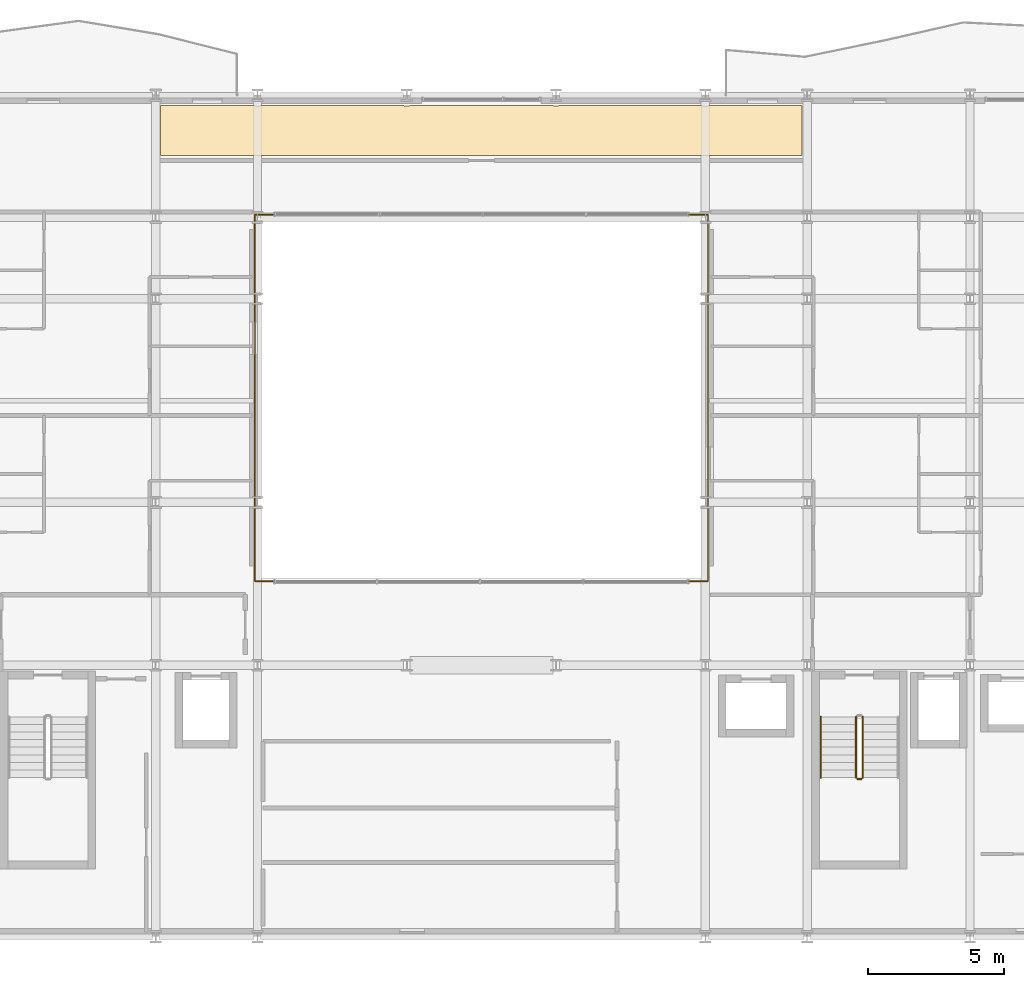
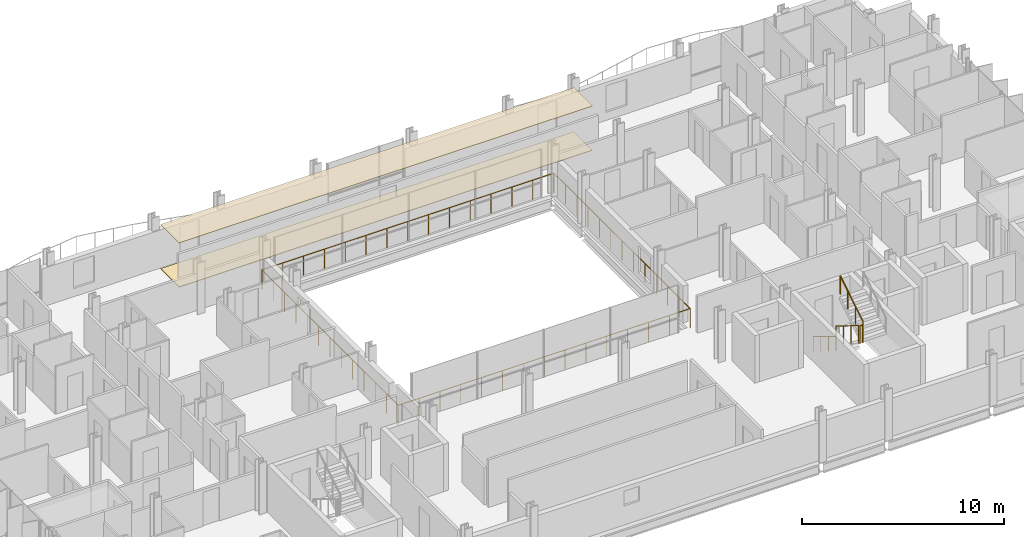
# One storey, part 37 of 39: 6 railings, 2 coverings.
"""IFC4 building model written with IfcOpenShell, lengths in metres."""

from ifc_helpers import new_model, si_unit, direction, frame, origin, origin_2d, place, context, subcontext, project, spatial, polyline, circle, outline, extrude, material, layer, layer_set, type_object, element, save


model = new_model("IFC4")

# Units and contexts
model_context = context("Model", 3, precision=1e-05, world=origin(), true_north=direction((0.0, 1.0)))
body_context = subcontext(model_context, "Body", "Model", "MODEL_VIEW")
ifc_project = project(units=[si_unit("LENGTHUNIT", "METRE"), si_unit("AREAUNIT", "SQUARE_METRE"), si_unit("VOLUMEUNIT", "CUBIC_METRE"), si_unit("PLANEANGLEUNIT", "RADIAN"), si_unit("MASSUNIT", "GRAM", prefix="KILO")], contexts=[model_context])

# Site, building, storey
site_placement = place(None, origin())
site = spatial("IfcSite", under=ifc_project, at=site_placement, CompositionType="ELEMENT")
building_placement = place(site_placement, origin())
building = spatial("IfcBuilding", under=site, at=building_placement, Name="Brevholm Reach", CompositionType="ELEMENT")
storey_placement = place(building_placement, frame((0.0, 0.0, 83.800048828125)))
storey = spatial("IfcBuildingStorey", under=building, at=storey_placement, Name="L24", CompositionType="ELEMENT", Elevation=83.800048828125)

# Coverings
ifc_material_1 = material(Name="Moisture-Resistant Skimmed Gypsum Plasterboard Ceiling", Category="gypsum")
ifc_layer_1 = layer(ifc_material_1, 0.030029296875)
ifc_layer_set_1 = layer_set([ifc_layer_1], Name="Moisture-Resistant Skimmed Gypsum Plasterboard Ceiling")
covering_type_1 = type_object("IfcCoveringType", Name="COV-CLG-GYP", PredefinedType="CEILING", material=ifc_layer_set_1)
covering_1_placement = place(storey_placement, frame((0.0, 0.0, 2.669921875)))
element("IfcCovering", 1, at=covering_1_placement, inside=storey, type_object=covering_type_1, Name="L24 Suspended Ceiling L24-78", PredefinedType="CEILING", context=body_context, shape_type="SweptSolid", body=[
    extrude(outline(polyline([(18.179931640625, 30.6201171875), (21.626220703125, 30.6201171875), (21.6337890625, 30.6171875), (21.672119140625, 30.607666015625), (21.710693359375, 30.601806640625), (21.75, 30.60009765625), (21.789306640625, 30.601806640625), (21.827880859375, 30.607666015625), (21.8662109375, 30.6171875), (21.873779296875, 30.6201171875), (27.126220703125, 30.6201171875), (27.1337890625, 30.6171875), (27.172119140625, 30.607666015625), (27.210693359375, 30.601806640625), (27.25, 30.60009765625), (27.289306640625, 30.601806640625), (27.327880859375, 30.607666015625), (27.3662109375, 30.6171875), (27.373779296875, 30.6201171875), (32.626220703125, 30.6201171875), (32.6337890625, 30.6171875), (32.672119140625, 30.607666015625), (32.710693359375, 30.601806640625), (32.75, 30.60009765625), (32.789306640625, 30.601806640625), (32.827880859375, 30.607666015625), (32.8662109375, 30.6171875), (32.873779296875, 30.6201171875), (38.126220703125, 30.6201171875), (38.1337890625, 30.6171875), (38.172119140625, 30.607666015625), (38.210693359375, 30.601806640625), (38.25, 30.60009765625), (38.289306640625, 30.601806640625), (38.327880859375, 30.607666015625), (38.3662109375, 30.6171875), (38.373779296875, 30.6201171875), (41.820068359375, 30.6201171875), (41.820068359375, 28.783935546875), (18.179931640625, 28.783935546875), (18.179931640625, 30.6201171875)])), origin(), (0.0, 0.0, 1.0), 0.030029296875),
])
ifc_material_2 = material(Name="Honed Portland-Aggregate Resin Terrazzo Flooring", Category="concrete")
ifc_layer_2 = layer(ifc_material_2, 0.031982421875)
ifc_layer_set_2 = layer_set([ifc_layer_2], Name="Honed Portland-Aggregate Resin Terrazzo Flooring")
covering_type_2 = type_object("IfcCoveringType", Name="COV-FLR-TRZ", PredefinedType="FLOORING", material=ifc_layer_set_2)
covering_2_placement = place(storey_placement, origin())
element("IfcCovering", 2, at=covering_2_placement, inside=storey, type_object=covering_type_2, Name="L24 Floor Finish L24-78", PredefinedType="FLOORING", context=body_context, shape_type="SweptSolid", body=[
    extrude(outline(polyline([(18.179931640625, 30.6201171875), (21.626220703125, 30.6201171875), (21.6337890625, 30.6171875), (21.672119140625, 30.607666015625), (21.710693359375, 30.601806640625), (21.75, 30.60009765625), (21.789306640625, 30.601806640625), (21.827880859375, 30.607666015625), (21.8662109375, 30.6171875), (21.873779296875, 30.6201171875), (27.126220703125, 30.6201171875), (27.1337890625, 30.6171875), (27.172119140625, 30.607666015625), (27.210693359375, 30.601806640625), (27.25, 30.60009765625), (27.289306640625, 30.601806640625), (27.327880859375, 30.607666015625), (27.3662109375, 30.6171875), (27.373779296875, 30.6201171875), (32.626220703125, 30.6201171875), (32.6337890625, 30.6171875), (32.672119140625, 30.607666015625), (32.710693359375, 30.601806640625), (32.75, 30.60009765625), (32.789306640625, 30.601806640625), (32.827880859375, 30.607666015625), (32.8662109375, 30.6171875), (32.873779296875, 30.6201171875), (38.126220703125, 30.6201171875), (38.1337890625, 30.6171875), (38.172119140625, 30.607666015625), (38.210693359375, 30.601806640625), (38.25, 30.60009765625), (38.289306640625, 30.601806640625), (38.327880859375, 30.607666015625), (38.3662109375, 30.6171875), (38.373779296875, 30.6201171875), (41.820068359375, 30.6201171875), (41.820068359375, 28.783935546875), (18.179931640625, 28.783935546875), (18.179931640625, 30.6201171875)])), origin(), (0.0, 0.0, 1.0), 0.031982421875),
])

# Railings
ifc_material_3 = material(Name="Brushed Stainless Steel EN 1.4401 Continuous Handrail", Category="steel")
railing_type_1 = type_object("IfcRailingType", Name="RAL-HND-950", PredefinedType="HANDRAIL", material=ifc_material_3)
railing_1_placement = place(storey_placement, frame((42.5, 8.10009765625, 0.172119140625)))
element("IfcRailing", 3, at=railing_1_placement, inside=storey, type_object=railing_type_1, Name="L24 ST-2 stair handrail 1", PredefinedType="HANDRAIL", context=body_context, shape_type="SweptSolid", body=[
    extrude(circle(Radius=0.02392578125, at=origin_2d()), frame((0.0, 0.0, 0.8857421875), z_axis=(0.0, -0.851747552033, 0.523952390591), x_axis=(1.0, 0.0, 0.0)), (0.0, 0.0, 1.0), 2.6298828125),
    extrude(circle(Radius=0.02099609375, at=origin_2d()), origin(), (0.0, 0.0, 1.0), 0.86181640625),
    extrude(circle(Radius=0.02099609375, at=origin_2d()), frame((0.0, -0.74658203125, 0.459228515625)), (0.0, 0.0, 1.0), 0.86181640625),
    extrude(circle(Radius=0.02099609375, at=origin_2d()), frame((0.0, -1.493408203125, 0.918701171875)), (0.0, 0.0, 1.0), 0.86181640625),
    extrude(circle(Radius=0.02099609375, at=origin_2d()), frame((0.0, -2.239990234375, 1.3779296875)), (0.0, 0.0, 1.0), 0.86181640625),
])
ifc_material_4 = material(Name="Painted Tubular Galvanised Steel S275JR Stair Guard", Category="steel")
railing_type_2 = type_object("IfcRailingType", Name="RAL-STG-1120", PredefinedType="BALUSTRADE", material=ifc_material_4)
railing_2_placement = place(storey_placement, frame((43.800048828125, 8.10009765625, 0.172119140625)))
element("IfcRailing", 4, at=railing_2_placement, inside=storey, type_object=railing_type_2, Name="L24 ST-2 stair guard 1", PredefinedType="BALUSTRADE", context=body_context, shape_type="SweptSolid", body=[
    extrude(circle(Radius=0.02392578125, at=origin_2d()), frame((0.0, 0.0, 1.076171875), z_axis=(0.0, -0.851747552033, 0.523952390591), x_axis=(1.0, 0.0, 0.0)), (0.0, 0.0, 1.0), 2.6298828125),
    extrude(circle(Radius=0.02099609375, at=origin_2d()), origin(), (0.0, 0.0, 1.0), 1.052001953125),
    extrude(circle(Radius=0.02099609375, at=origin_2d()), frame((0.0, -0.74658203125, 0.459228515625)), (0.0, 0.0, 1.0), 1.052001953125),
    extrude(circle(Radius=0.02099609375, at=origin_2d()), frame((0.0, -1.493408203125, 0.918701171875)), (0.0, 0.0, 1.0), 1.052001953125),
    extrude(circle(Radius=0.02099609375, at=origin_2d()), frame((0.0, -2.239990234375, 1.3779296875)), (0.0, 0.0, 1.0), 1.052001953125),
])
railing_3_placement = place(storey_placement, frame((43.85009765625, 5.81005859375, 1.550048828125)))
element("IfcRailing", 5, at=railing_3_placement, inside=storey, type_object=railing_type_2, Name="L24 ST-2 stair guard 2", PredefinedType="BALUSTRADE", context=body_context, shape_type="SweptSolid", body=[
    extrude(circle(Radius=0.02392578125, at=origin_2d()), frame((0.0, 0.0, 1.076171875), z_axis=(1.0, 0.0, 0.0), x_axis=(0.0, 1.0, 0.0)), (0.0, 0.0, 1.0), 0.14990234375),
    extrude(circle(Radius=0.02099609375, at=origin_2d()), origin(), (0.0, 0.0, 1.0), 1.052001953125),
    extrude(circle(Radius=0.02099609375, at=origin_2d()), frame((0.14990234375, 0.0, 0.0)), (0.0, 0.0, 1.0), 1.052001953125),
])
railing_4_placement = place(storey_placement, frame((44.050048828125, 5.860107421875, 1.72216796875)))
element("IfcRailing", 6, at=railing_4_placement, inside=storey, type_object=railing_type_2, Name="L24 ST-2 stair guard 3", PredefinedType="BALUSTRADE", context=body_context, shape_type="SweptSolid", body=[
    extrude(circle(Radius=0.02392578125, at=origin_2d()), frame((0.0, 0.0, 1.076171875), z_axis=(0.0, 0.85178898068, 0.523885037382), x_axis=(-1.0, 0.0, 0.0)), (0.0, 0.0, 1.0), 2.629638671875),
    extrude(circle(Radius=0.02099609375, at=origin_2d()), origin(), (0.0, 0.0, 1.0), 1.052001953125),
    extrude(circle(Radius=0.02099609375, at=origin_2d()), frame((0.0, 0.74658203125, 0.459228515625)), (0.0, 0.0, 1.0), 1.052001953125),
    extrude(circle(Radius=0.02099609375, at=origin_2d()), frame((0.0, 1.493408203125, 0.91845703125)), (0.0, 0.0, 1.0), 1.052001953125),
    extrude(circle(Radius=0.02099609375, at=origin_2d()), frame((0.0, 2.239990234375, 1.377685546875)), (0.0, 0.0, 1.0), 1.052001953125),
])
ifc_material_5 = material(Name="Brushed Stainless Steel EN 1.4401 and Laminated Glass", Category="steel")
railing_type_3 = type_object("IfcRailingType", Name="RAL-TERR-1200", PredefinedType="BALUSTRADE", material=ifc_material_5)
railing_5_placement = place(storey_placement, frame((21.64990234375, 13.10009765625, 0.0)))
element("IfcRailing", 7, at=railing_5_placement, inside=storey, type_object=railing_type_3, Name="L24 Guard Balustrade RAL-L24-AT-VOID-SW", PredefinedType="BALUSTRADE", context=body_context, shape_type="SweptSolid", body=[
    extrude(circle(Radius=0.02392578125, at=origin_2d()), frame((0.0, 0.0, 1.17578125), z_axis=(1.0, 0.0, 0.0), x_axis=(0.0, 1.0, 0.0)), (0.0, 0.0, 1.0), 16.7001953125),
    extrude(circle(Radius=0.02392578125, at=origin_2d()), frame((16.7001953125, 0.0, 1.17578125), z_axis=(0.0, 1.0, 0.0), x_axis=(-1.0, 0.0, 0.0)), (0.0, 0.0, 1.0), 13.47998046875),
    extrude(circle(Radius=0.02099609375, at=origin_2d()), origin(), (0.0, 0.0, 1.0), 1.15185546875),
    extrude(circle(Radius=0.02099609375, at=origin_2d()), frame((1.19287109375, 0.0, 0.0)), (0.0, 0.0, 1.0), 1.15185546875),
    extrude(circle(Radius=0.02099609375, at=origin_2d()), frame((2.3857421875, 0.0, 0.0)), (0.0, 0.0, 1.0), 1.15185546875),
    extrude(circle(Radius=0.02099609375, at=origin_2d()), frame((3.57861328125, 0.0, 0.0)), (0.0, 0.0, 1.0), 1.15185546875),
    extrude(circle(Radius=0.02099609375, at=origin_2d()), frame((4.771484375, 0.0, 0.0)), (0.0, 0.0, 1.0), 1.15185546875),
    extrude(circle(Radius=0.02099609375, at=origin_2d()), frame((5.96435546875, 0.0, 0.0)), (0.0, 0.0, 1.0), 1.15185546875),
    extrude(circle(Radius=0.02099609375, at=origin_2d()), frame((7.1572265625, 0.0, 0.0)), (0.0, 0.0, 1.0), 1.15185546875),
    extrude(circle(Radius=0.02099609375, at=origin_2d()), frame((8.35009765625, 0.0, 0.0)), (0.0, 0.0, 1.0), 1.15185546875),
    extrude(circle(Radius=0.02099609375, at=origin_2d()), frame((9.54296875, 0.0, 0.0)), (0.0, 0.0, 1.0), 1.15185546875),
    extrude(circle(Radius=0.02099609375, at=origin_2d()), frame((10.73583984375, 0.0, 0.0)), (0.0, 0.0, 1.0), 1.15185546875),
    extrude(circle(Radius=0.02099609375, at=origin_2d()), frame((11.9287109375, 0.0, 0.0)), (0.0, 0.0, 1.0), 1.15185546875),
    extrude(circle(Radius=0.02099609375, at=origin_2d()), frame((13.12158203125, 0.0, 0.0)), (0.0, 0.0, 1.0), 1.15185546875),
    extrude(circle(Radius=0.02099609375, at=origin_2d()), frame((14.314453125, 0.0, 0.0)), (0.0, 0.0, 1.0), 1.15185546875),
    extrude(circle(Radius=0.02099609375, at=origin_2d()), frame((15.50732421875, 0.0, 0.0)), (0.0, 0.0, 1.0), 1.15185546875),
    extrude(circle(Radius=0.02099609375, at=origin_2d()), frame((16.7001953125, 0.0, 0.0)), (0.0, 0.0, 1.0), 1.15185546875),
    extrude(circle(Radius=0.02099609375, at=origin_2d()), frame((16.7001953125, 1.123291015625, 0.0)), (0.0, 0.0, 1.0), 1.15185546875),
    extrude(circle(Radius=0.02099609375, at=origin_2d()), frame((16.7001953125, 2.24658203125, 0.0)), (0.0, 0.0, 1.0), 1.15185546875),
    extrude(circle(Radius=0.02099609375, at=origin_2d()), frame((16.7001953125, 3.3701171875, 0.0)), (0.0, 0.0, 1.0), 1.15185546875),
    extrude(circle(Radius=0.02099609375, at=origin_2d()), frame((16.7001953125, 4.493408203125, 0.0)), (0.0, 0.0, 1.0), 1.15185546875),
    extrude(circle(Radius=0.02099609375, at=origin_2d()), frame((16.7001953125, 5.61669921875, 0.0)), (0.0, 0.0, 1.0), 1.15185546875),
    extrude(circle(Radius=0.02099609375, at=origin_2d()), frame((16.7001953125, 6.739990234375, 0.0)), (0.0, 0.0, 1.0), 1.15185546875),
    extrude(circle(Radius=0.02099609375, at=origin_2d()), frame((16.7001953125, 7.86328125, 0.0)), (0.0, 0.0, 1.0), 1.15185546875),
    extrude(circle(Radius=0.02099609375, at=origin_2d()), frame((16.7001953125, 8.986572265625, 0.0)), (0.0, 0.0, 1.0), 1.15185546875),
    extrude(circle(Radius=0.02099609375, at=origin_2d()), frame((16.7001953125, 10.10986328125, 0.0)), (0.0, 0.0, 1.0), 1.15185546875),
    extrude(circle(Radius=0.02099609375, at=origin_2d()), frame((16.7001953125, 11.2333984375, 0.0)), (0.0, 0.0, 1.0), 1.15185546875),
    extrude(circle(Radius=0.02099609375, at=origin_2d()), frame((16.7001953125, 12.356689453125, 0.0)), (0.0, 0.0, 1.0), 1.15185546875),
    extrude(circle(Radius=0.02099609375, at=origin_2d()), frame((16.7001953125, 13.47998046875, 0.0)), (0.0, 0.0, 1.0), 1.15185546875),
])
railing_6_placement = place(storey_placement, frame((38.330078125, 26.60009765625, 0.0)))
element("IfcRailing", 8, at=railing_6_placement, inside=storey, type_object=railing_type_3, Name="L24 Guard Balustrade RAL-L24-AT-VOID-NE", PredefinedType="BALUSTRADE", context=body_context, shape_type="SweptSolid", body=[
    extrude(circle(Radius=0.02392578125, at=origin_2d()), frame((0.0, 0.0, 1.17578125), z_axis=(-1.0, 0.0, 0.0), x_axis=(0.0, -1.0, 0.0)), (0.0, 0.0, 1.0), 16.68017578125),
    extrude(circle(Radius=0.02392578125, at=origin_2d()), frame((-16.68017578125, 0.0, 1.17578125), z_axis=(0.0, -1.0, 0.0), x_axis=(1.0, 0.0, 0.0)), (0.0, 0.0, 1.0), 13.47998046875),
    extrude(circle(Radius=0.02099609375, at=origin_2d()), origin(), (0.0, 0.0, 1.0), 1.15185546875),
    extrude(circle(Radius=0.02099609375, at=origin_2d()), frame((-1.19140625, 0.0, 0.0)), (0.0, 0.0, 1.0), 1.15185546875),
    extrude(circle(Radius=0.02099609375, at=origin_2d()), frame((-2.3828125, 0.0, 0.0)), (0.0, 0.0, 1.0), 1.15185546875),
    extrude(circle(Radius=0.02099609375, at=origin_2d()), frame((-3.57421875, 0.0, 0.0)), (0.0, 0.0, 1.0), 1.15185546875),
    extrude(circle(Radius=0.02099609375, at=origin_2d()), frame((-4.765869140625, 0.0, 0.0)), (0.0, 0.0, 1.0), 1.15185546875),
    extrude(circle(Radius=0.02099609375, at=origin_2d()), frame((-5.957275390625, 0.0, 0.0)), (0.0, 0.0, 1.0), 1.15185546875),
    extrude(circle(Radius=0.02099609375, at=origin_2d()), frame((-7.148681640625, 0.0, 0.0)), (0.0, 0.0, 1.0), 1.15185546875),
    extrude(circle(Radius=0.02099609375, at=origin_2d()), frame((-8.340087890625, 0.0, 0.0)), (0.0, 0.0, 1.0), 1.15185546875),
    extrude(circle(Radius=0.02099609375, at=origin_2d()), frame((-9.531494140625, 0.0, 0.0)), (0.0, 0.0, 1.0), 1.15185546875),
    extrude(circle(Radius=0.02099609375, at=origin_2d()), frame((-10.722900390625, 0.0, 0.0)), (0.0, 0.0, 1.0), 1.15185546875),
    extrude(circle(Radius=0.02099609375, at=origin_2d()), frame((-11.914306640625, 0.0, 0.0)), (0.0, 0.0, 1.0), 1.15185546875),
    extrude(circle(Radius=0.02099609375, at=origin_2d()), frame((-13.10595703125, 0.0, 0.0)), (0.0, 0.0, 1.0), 1.15185546875),
    extrude(circle(Radius=0.02099609375, at=origin_2d()), frame((-14.29736328125, 0.0, 0.0)), (0.0, 0.0, 1.0), 1.15185546875),
    extrude(circle(Radius=0.02099609375, at=origin_2d()), frame((-15.48876953125, 0.0, 0.0)), (0.0, 0.0, 1.0), 1.15185546875),
    extrude(circle(Radius=0.02099609375, at=origin_2d()), frame((-16.68017578125, 0.0, 0.0)), (0.0, 0.0, 1.0), 1.15185546875),
    extrude(circle(Radius=0.02099609375, at=origin_2d()), frame((-16.68017578125, -1.123291015625, 0.0)), (0.0, 0.0, 1.0), 1.15185546875),
    extrude(circle(Radius=0.02099609375, at=origin_2d()), frame((-16.68017578125, -2.24658203125, 0.0)), (0.0, 0.0, 1.0), 1.15185546875),
    extrude(circle(Radius=0.02099609375, at=origin_2d()), frame((-16.68017578125, -3.3701171875, 0.0)), (0.0, 0.0, 1.0), 1.15185546875),
    extrude(circle(Radius=0.02099609375, at=origin_2d()), frame((-16.68017578125, -4.493408203125, 0.0)), (0.0, 0.0, 1.0), 1.15185546875),
    extrude(circle(Radius=0.02099609375, at=origin_2d()), frame((-16.68017578125, -5.61669921875, 0.0)), (0.0, 0.0, 1.0), 1.15185546875),
    extrude(circle(Radius=0.02099609375, at=origin_2d()), frame((-16.68017578125, -6.739990234375, 0.0)), (0.0, 0.0, 1.0), 1.15185546875),
    extrude(circle(Radius=0.02099609375, at=origin_2d()), frame((-16.68017578125, -7.86328125, 0.0)), (0.0, 0.0, 1.0), 1.15185546875),
    extrude(circle(Radius=0.02099609375, at=origin_2d()), frame((-16.68017578125, -8.986572265625, 0.0)), (0.0, 0.0, 1.0), 1.15185546875),
    extrude(circle(Radius=0.02099609375, at=origin_2d()), frame((-16.68017578125, -10.10986328125, 0.0)), (0.0, 0.0, 1.0), 1.15185546875),
    extrude(circle(Radius=0.02099609375, at=origin_2d()), frame((-16.68017578125, -11.2333984375, 0.0)), (0.0, 0.0, 1.0), 1.15185546875),
    extrude(circle(Radius=0.02099609375, at=origin_2d()), frame((-16.68017578125, -12.356689453125, 0.0)), (0.0, 0.0, 1.0), 1.15185546875),
    extrude(circle(Radius=0.02099609375, at=origin_2d()), frame((-16.68017578125, -13.47998046875, 0.0)), (0.0, 0.0, 1.0), 1.15185546875),
])

save(model, "model.ifc")
